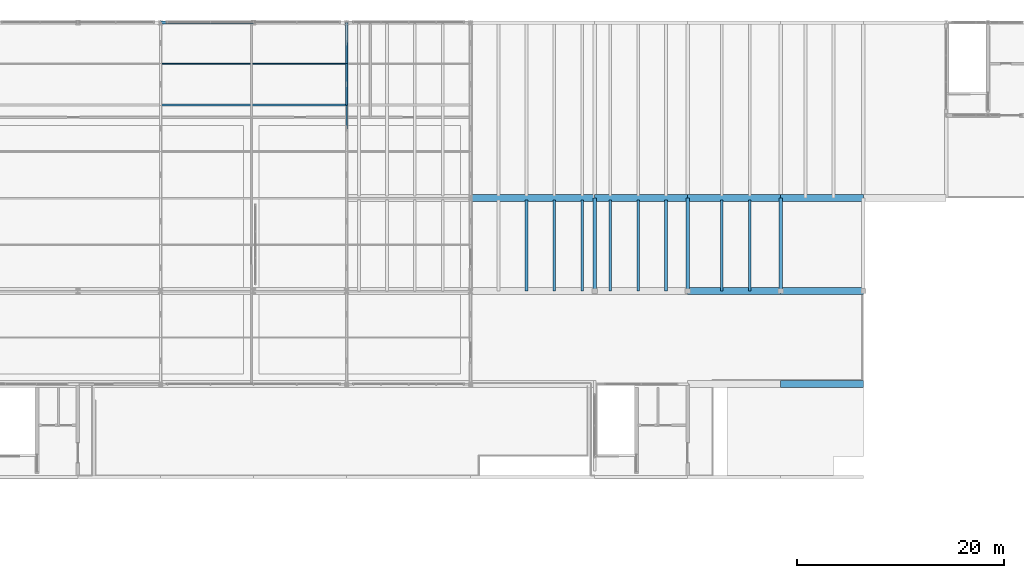
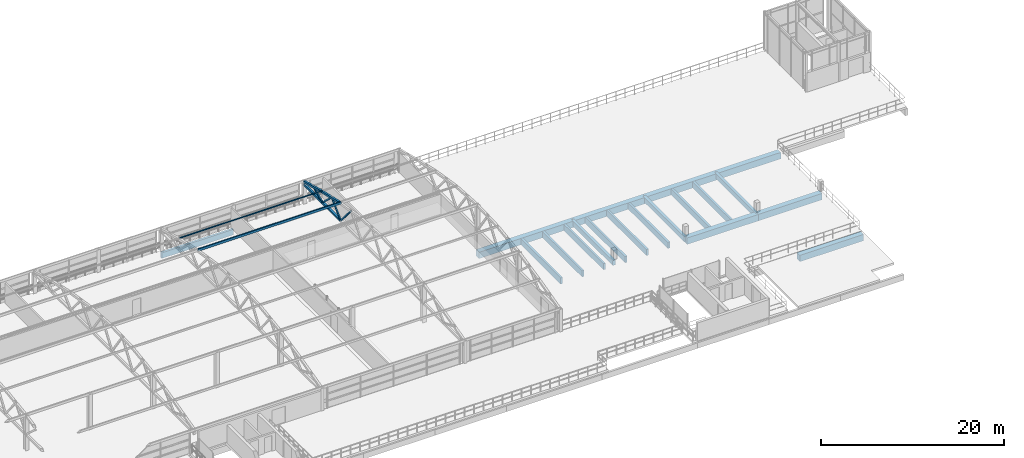
# One storey, part 23 of 50: 19 beams, 10 members.
"""IFC4 building model written with IfcOpenShell, lengths in metres."""

from ifc_helpers import new_model, si_unit, derived_unit, direction, frame, origin, origin_2d, place, context, subcontext, project, spatial, rectangle, hollow_rectangle, hollow_circle, extrude, material, material_profile, profile_set, type_object, element, save


model = new_model("IFC4")

# Units and contexts
model_context = context("Model", 3, precision=1e-05, world=origin(), true_north=direction((0.0, 1.0)))
body_context = subcontext(model_context, "Body", "Model", "MODEL_VIEW")
ifc_project = project(units=[si_unit("LENGTHUNIT", "METRE"), si_unit("AREAUNIT", "SQUARE_METRE"), si_unit("VOLUMEUNIT", "CUBIC_METRE"), si_unit("PLANEANGLEUNIT", "RADIAN"), si_unit("MASSUNIT", "GRAM", prefix="KILO"), si_unit("THERMODYNAMICTEMPERATUREUNIT", "KELVIN"), derived_unit("THERMALTRANSMITTANCEUNIT", [(si_unit("POWERUNIT", "WATT"), 1), (si_unit("AREAUNIT", "SQUARE_METRE"), -1), (si_unit("THERMODYNAMICTEMPERATUREUNIT", "KELVIN"), -1)])], contexts=[model_context])

# Site, building, storey
site_placement = place(None, origin())
site = spatial("IfcSite", under=ifc_project, at=site_placement, CompositionType="ELEMENT")
building_placement = place(site_placement, origin())
building = spatial("IfcBuilding", under=site, at=building_placement, Name="Haiyu Intermodal Mobility Hub", CompositionType="ELEMENT")
storey_placement = place(building_placement, frame((0.0, 0.0, 25.10009765625)))
storey = spatial("IfcBuildingStorey", under=building, at=storey_placement, Name="L06", CompositionType="ELEMENT", Elevation=25.10009765625)

# Beams
ifc_material_1 = material(Name="Concrete C40", Category="concrete")
ifc_material_profile_1 = material_profile(ifc_material_1, rectangle(XDim=0.35009765625, YDim=0.64990234375, at=origin_2d()), Name="RCB350x650")
ifc_profile_set_1 = profile_set([ifc_material_profile_1], Name="Concrete C40")
beam_type_1 = type_object("IfcBeamType", Name="BM-CB04", PredefinedType="BEAM", material=ifc_profile_set_1)
for number, where, z_axis, x_axis, name in (
    (1, (120.0, 122.0, -0.60498046875), (0.0, 1.0, 0.0), (-1.0, 0.0, 0.0), "BM-V4E-L06-007"),
    (2, (129.0, 122.0, -0.60498046875), (0.0, 1.0, 0.0), (-1.0, 0.0, 0.0), "BM-V4E-L06-009"),
    (3, (138.0, 122.0, -0.60498046875), (0.0, 1.0, 0.0), (-1.0, 0.0, 0.0), "BM-V4E-L06-011"),
):
    element("IfcBeam", number, at=place(storey_placement, frame(where, z_axis=z_axis, x_axis=x_axis)), inside=storey, type_object=beam_type_1, Name=name, PredefinedType="BEAM", context=body_context, shape_type="SweptSolid", body=[
        extrude(rectangle(XDim=0.35009765625, YDim=0.64990234375, at=origin_2d()), origin(), (0.0, 0.0, 1.0), 9.0),
    ])
ifc_material_2 = material(Name="Precast concrete C50", Category="concrete")
ifc_material_profile_2 = material_profile(ifc_material_2, rectangle(XDim=0.260009765625, YDim=0.820068359375, at=origin_2d()), Name="PC260x820")
ifc_profile_set_2 = profile_set([ifc_material_profile_2], Name="Precast concrete C50")
beam_type_2 = type_object("IfcBeamType", Name="BM-DT04", PredefinedType="JOIST", material=ifc_profile_set_2)
for number, where, z_axis, x_axis, name in (
    (4, (113.39990234375, 122.0, -0.690185546875), (0.0, 1.0, 0.0), (-1.0, 0.0, 0.0), "BM-DT-L06-015"),
    (5, (116.10009765625, 122.0, -0.690185546875), (0.0, 1.0, 0.0), (-1.0, 0.0, 0.0), "BM-DT-L06-017"),
    (6, (118.800048828125, 122.0, -0.690185546875), (0.0, 1.0, 0.0), (-1.0, 0.0, 0.0), "BM-DT-L06-019"),
    (7, (121.5, 122.0, -0.690185546875), (0.0, 1.0, 0.0), (-1.0, 0.0, 0.0), "BM-DT-L06-021"),
    (8, (124.199951171875, 122.0, -0.690185546875), (0.0, 1.0, 0.0), (-1.0, 0.0, 0.0), "BM-DT-L06-023"),
    (9, (126.89990234375, 122.0, -0.690185546875), (0.0, 1.0, 0.0), (-1.0, 0.0, 0.0), "BM-DT-L06-025"),
    (10, (132.300048828125, 122.0, -0.690185546875), (0.0, 1.0, 0.0), (-1.0, 0.0, 0.0), "BM-DT-L06-027"),
    (11, (135.0, 122.0, -0.690185546875), (0.0, 1.0, 0.0), (-1.0, 0.0, 0.0), "BM-DT-L06-029"),
):
    element("IfcBeam", number, at=place(storey_placement, frame(where, z_axis=z_axis, x_axis=x_axis)), inside=storey, type_object=beam_type_2, Name=name, PredefinedType="JOIST", context=body_context, shape_type="SweptSolid", body=[
        extrude(rectangle(XDim=0.260009765625, YDim=0.820068359375, at=origin_2d()), origin(), (0.0, 0.0, 1.0), 8.804931640625),
    ])
ifc_material_profile_3 = material_profile(ifc_material_2, rectangle(XDim=0.64990234375, YDim=0.85009765625, at=origin_2d()), Name="PC650x850")
ifc_profile_set_3 = profile_set([ifc_material_profile_3], Name="Precast concrete C50")
beam_type_3 = type_object("IfcBeamType", Name="BM-IT03", PredefinedType="T_BEAM", material=ifc_profile_set_3)
beam_1_placement = place(storey_placement, frame((138.0, 113.0, -0.705078125), z_axis=(1.0, 0.0, 0.0), x_axis=(0.0, 1.0, 0.0)))
element("IfcBeam", 12, at=beam_1_placement, inside=storey, type_object=beam_type_3, Name="BM-V4G-L06-020", PredefinedType="T_BEAM", context=body_context, shape_type="SweptSolid", body=[
    extrude(rectangle(XDim=0.64990234375, YDim=0.85009765625, at=origin_2d()), origin(), (0.0, 0.0, 1.0), 8.0),
])
beam_2_placement = place(storey_placement, frame((129.0, 122.0, -0.705078125), z_axis=(1.0, 0.0, 0.0), x_axis=(0.0, 1.0, 0.0)))
element("IfcBeam", 13, at=beam_2_placement, inside=storey, type_object=beam_type_3, Name="BM-V4G-L06-031", PredefinedType="T_BEAM", context=body_context, shape_type="SweptSolid", body=[
    extrude(rectangle(XDim=0.64990234375, YDim=0.85009765625, at=origin_2d()), origin(), (0.0, 0.0, 1.0), 9.0),
])
beam_3_placement = place(storey_placement, frame((138.0, 122.0, -0.705078125), z_axis=(1.0, 0.0, 0.0), x_axis=(0.0, 1.0, 0.0)))
element("IfcBeam", 14, at=beam_3_placement, inside=storey, type_object=beam_type_3, Name="BM-V4G-L06-032", PredefinedType="T_BEAM", context=body_context, shape_type="SweptSolid", body=[
    extrude(rectangle(XDim=0.64990234375, YDim=0.85009765625, at=origin_2d()), origin(), (0.0, 0.0, 1.0), 8.0),
])
beam_4_placement = place(storey_placement, frame((108.0, 131.0, -0.705078125), z_axis=(1.0, 0.0, 0.0), x_axis=(0.0, 1.0, 0.0)))
element("IfcBeam", 15, at=beam_4_placement, inside=storey, type_object=beam_type_3, Name="BM-V4G-L06-036", PredefinedType="T_BEAM", context=body_context, shape_type="SweptSolid", body=[
    extrude(rectangle(XDim=0.64990234375, YDim=0.85009765625, at=origin_2d()), origin(), (0.0, 0.0, 1.0), 12.0),
])
for number, where, z_axis, x_axis, name in (
    (16, (120.0, 131.0, -0.705078125), (1.0, 0.0, 0.0), (0.0, 1.0, 0.0), "BM-V4G-L06-037"),
    (17, (129.0, 131.0, -0.705078125), (1.0, 0.0, 0.0), (0.0, 1.0, 0.0), "BM-V4G-L06-038"),
):
    element("IfcBeam", number, at=place(storey_placement, frame(where, z_axis=z_axis, x_axis=x_axis)), inside=storey, type_object=beam_type_3, Name=name, PredefinedType="T_BEAM", context=body_context, shape_type="SweptSolid", body=[
        extrude(rectangle(XDim=0.64990234375, YDim=0.85009765625, at=origin_2d()), origin(), (0.0, 0.0, 1.0), 9.0),
    ])
beam_5_placement = place(storey_placement, frame((138.0, 131.0, -0.705078125), z_axis=(1.0, 0.0, 0.0), x_axis=(0.0, 1.0, 0.0)))
element("IfcBeam", 18, at=beam_5_placement, inside=storey, type_object=beam_type_3, Name="BM-V4G-L06-039", PredefinedType="T_BEAM", context=body_context, shape_type="SweptSolid", body=[
    extrude(rectangle(XDim=0.64990234375, YDim=0.85009765625, at=origin_2d()), origin(), (0.0, 0.0, 1.0), 8.0),
])
ifc_material_3 = material(Name="Precast concrete C40", Category="concrete")
ifc_material_profile_4 = material_profile(ifc_material_3, rectangle(XDim=0.280029296875, YDim=0.739990234375, at=origin_2d()), Name="B280x740")
ifc_profile_set_4 = profile_set([ifc_material_profile_4], Name="Precast concrete C40")
beam_type_4 = type_object("IfcBeamType", Name="BM-SP05", PredefinedType="SPANDREL", material=ifc_profile_set_4)
beam_6_placement = place(storey_placement, frame((78.0, 148.0, -0.650146484375), z_axis=(1.0, 0.0, 0.0), x_axis=(0.0, 1.0, 0.0)))
element("IfcBeam", 19, at=beam_6_placement, inside=storey, type_object=beam_type_4, Name="BM-V4G-L06-048", PredefinedType="SPANDREL", context=body_context, shape_type="SweptSolid", body=[
    extrude(rectangle(XDim=0.280029296875, YDim=0.739990234375, at=origin_2d()), origin(), (0.0, 0.0, 1.0), 9.0),
])

# Members
ifc_material_4 = material(Name="Steel Q355C", Category="steel")
ifc_material_profile_5 = material_profile(ifc_material_4, hollow_rectangle(XDim=0.25, YDim=0.25, WallThickness=0.010009765625, at=origin_2d()), Name="SHS250x250x10")
ifc_profile_set_5 = profile_set([ifc_material_profile_5], Name="Steel Q355C")
member_type_1 = type_object("IfcMemberType", Name="MEM-CH01", PredefinedType="CHORD", material=ifc_profile_set_5)
member_1_placement = place(storey_placement, frame((96.0, 140.0, 4.80078125), z_axis=(0.0, 0.975410459247, -0.220396088875), x_axis=(-1.0, 0.0, 0.0)))
element("IfcMember", 20, at=member_1_placement, inside=storey, type_object=member_type_1, Name="MEM-PAV-TC-039", PredefinedType="CHORD", context=body_context, shape_type="SweptSolid", body=[
    extrude(hollow_rectangle(XDim=0.25, YDim=0.25, WallThickness=0.010009765625, at=origin_2d()), origin(), (0.0, 0.0, 1.0), 4.100830078125),
])
member_2_placement = place(storey_placement, frame((96.0, 140.0, 2.5), z_axis=(0.0, 1.0, 0.0), x_axis=(-1.0, 0.0, 0.0)))
element("IfcMember", 21, at=member_2_placement, inside=storey, type_object=member_type_1, Name="MEM-PAV-BC-039", PredefinedType="CHORD", context=body_context, shape_type="SweptSolid", body=[
    extrude(hollow_rectangle(XDim=0.25, YDim=0.25, WallThickness=0.010009765625, at=origin_2d()), origin(), (0.0, 0.0, 1.0), 4.0),
])
member_3_placement = place(storey_placement, frame((96.0, 144.0, 3.89697265625), z_axis=(0.0, 0.967992645368, -0.250978561861), x_axis=(-1.0, 0.0, 0.0)))
element("IfcMember", 22, at=member_3_placement, inside=storey, type_object=member_type_1, Name="MEM-PAV-TC-040", PredefinedType="CHORD", context=body_context, shape_type="SweptSolid", body=[
    extrude(hollow_rectangle(XDim=0.25, YDim=0.25, WallThickness=0.010009765625, at=origin_2d()), origin(), (0.0, 0.0, 1.0), 4.13232421875),
])
member_4_placement = place(storey_placement, frame((96.0, 144.0, 2.5), z_axis=(0.0, 1.0, 0.0), x_axis=(-1.0, 0.0, 0.0)))
element("IfcMember", 23, at=member_4_placement, inside=storey, type_object=member_type_1, Name="MEM-PAV-BC-040", PredefinedType="CHORD", context=body_context, shape_type="SweptSolid", body=[
    extrude(hollow_rectangle(XDim=0.25, YDim=0.25, WallThickness=0.010009765625, at=origin_2d()), origin(), (0.0, 0.0, 1.0), 4.0),
])
ifc_material_profile_6 = material_profile(ifc_material_4, hollow_rectangle(XDim=0.159912109375, YDim=0.159912109375, WallThickness=0.006103515625, at=origin_2d()), Name="SHS160x160x6")
ifc_profile_set_6 = profile_set([ifc_material_profile_6], Name="Steel Q355C")
member_type_2 = type_object("IfcMemberType", Name="MEM-CH03", PredefinedType="CHORD", material=ifc_profile_set_6)
member_5_placement = place(storey_placement, frame((96.0, 137.75, 5.159912109375), z_axis=(0.0, 0.64582600347, -0.763484625413), x_axis=(-1.0, 0.0, 0.0)))
element("IfcMember", 24, at=member_5_placement, inside=storey, type_object=member_type_2, Name="MEM-PAV-D2-038", PredefinedType="CHORD", context=body_context, shape_type="SweptSolid", body=[
    extrude(hollow_rectangle(XDim=0.159912109375, YDim=0.159912109375, WallThickness=0.006103515625, at=origin_2d()), origin(), (0.0, 0.0, 1.0), 3.48388671875),
])
for number, where, z_axis, x_axis, name in (
    (25, (96.0, 140.0, 2.5), (0.0, 0.734304945723, 0.678819745357), (-1.0, 0.0, 0.0), "MEM-PAV-D1-039"),
    (26, (96.0, 142.0, 4.348876953125), (0.0, 0.734304945723, -0.678819745357), (-1.0, 0.0, 0.0), "MEM-PAV-D2-039"),
):
    element("IfcMember", number, at=place(storey_placement, frame(where, z_axis=z_axis, x_axis=x_axis)), inside=storey, type_object=member_type_2, Name=name, PredefinedType="CHORD", context=body_context, shape_type="SweptSolid", body=[
        extrude(hollow_rectangle(XDim=0.159912109375, YDim=0.159912109375, WallThickness=0.006103515625, at=origin_2d()), origin(), (0.0, 0.0, 1.0), 2.7236328125),
    ])
member_6_placement = place(storey_placement, frame((96.0, 144.0, 2.5), z_axis=(0.0, 0.915664098449, 0.401944347903), x_axis=(-1.0, 0.0, 0.0)))
element("IfcMember", 27, at=member_6_placement, inside=storey, type_object=member_type_2, Name="MEM-PAV-D1-040", PredefinedType="CHORD", context=body_context, shape_type="SweptSolid", body=[
    extrude(hollow_rectangle(XDim=0.159912109375, YDim=0.159912109375, WallThickness=0.006103515625, at=origin_2d()), origin(), (0.0, 0.0, 1.0), 2.184326171875),
])
ifc_material_profile_7 = material_profile(ifc_material_4, hollow_rectangle(XDim=0.14990234375, YDim=0.300048828125, WallThickness=0.010009765625, at=origin_2d()), Name="RHS300x150x10")
ifc_profile_set_7 = profile_set([ifc_material_profile_7], Name="Steel Q355C")
member_type_3 = type_object("IfcMemberType", Name="MEM-PR01", PredefinedType="PURLIN", material=ifc_profile_set_7)
member_7_placement = place(storey_placement, frame((78.0, 140.0, 4.888916015625), z_axis=(1.0, 0.0, 0.0), x_axis=(0.0, 1.0, 0.0)))
element("IfcMember", 28, at=member_7_placement, inside=storey, type_object=member_type_3, Name="MEM-PAV-PR-019", PredefinedType="PURLIN", context=body_context, shape_type="SweptSolid", body=[
    extrude(hollow_rectangle(XDim=0.14990234375, YDim=0.300048828125, WallThickness=0.010009765625, at=origin_2d()), origin(), (0.0, 0.0, 1.0), 18.0),
])
ifc_material_profile_8 = material_profile(ifc_material_4, hollow_circle(Radius=0.083984375, WallThickness=0.006103515625, at=origin_2d()), Name="CHS168x6")
ifc_profile_set_8 = profile_set([ifc_material_profile_8], Name="Steel Q355C")
member_type_4 = type_object("IfcMemberType", Name="MEM-PR05-INT", PredefinedType="BRACE", material=ifc_profile_set_8)
member_8_placement = place(storey_placement, frame((78.0, 144.0, 4.048828125), z_axis=(1.0, 0.0, 0.0), x_axis=(0.0, 1.0, 0.0)))
element("IfcMember", 29, at=member_8_placement, inside=storey, type_object=member_type_4, Name="MEM-PAV-SPR-019", PredefinedType="BRACE", context=body_context, shape_type="SweptSolid", body=[
    extrude(hollow_circle(Radius=0.083984375, WallThickness=0.006103515625, at=origin_2d()), origin(), (0.0, 0.0, 1.0), 18.0),
])

save(model, "model.ifc")
